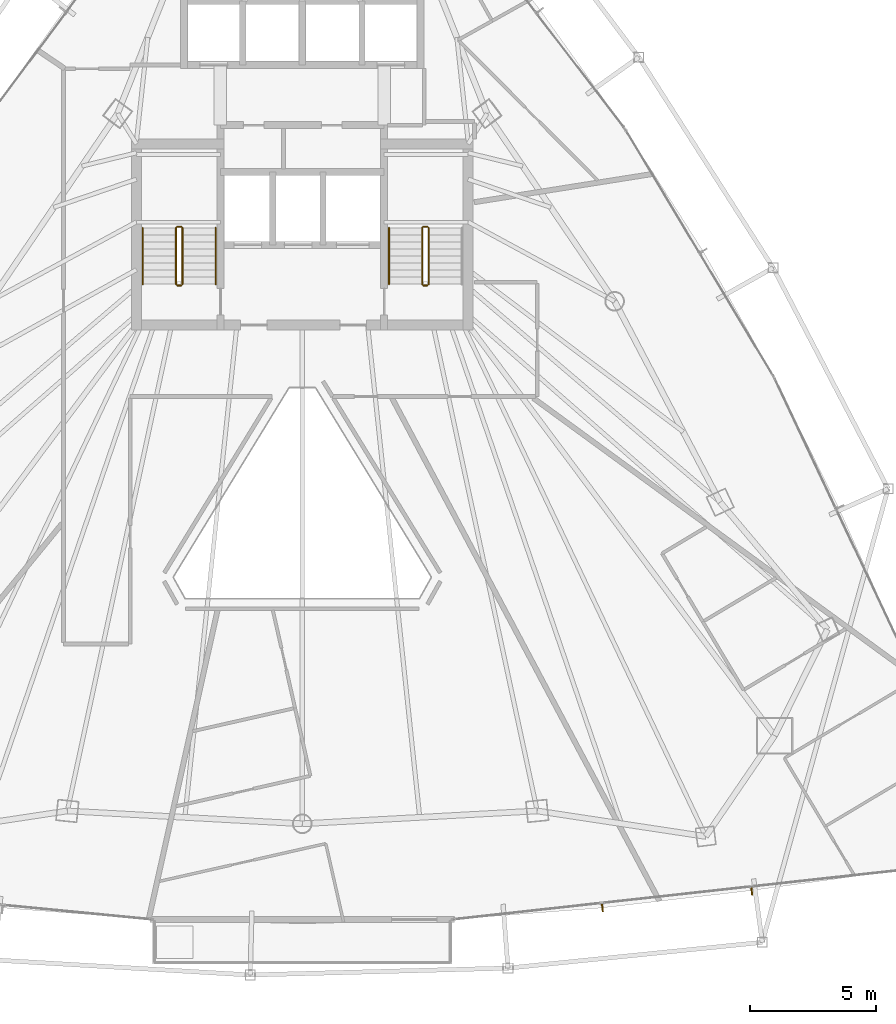
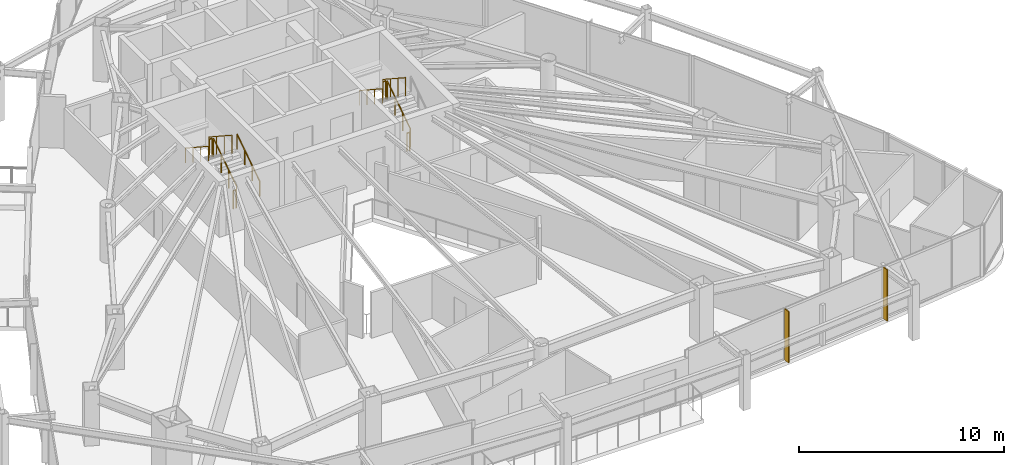
# One storey, part 32 of 33: 11 railings, 2 shading devices.
"""IFC4 building model written with IfcOpenShell, lengths in metres."""

from ifc_helpers import new_model, si_unit, direction, frame, origin, origin_2d, place, context, subcontext, project, spatial, rectangle, circle, extrude, material, layer, layer_set, type_object, element, save


model = new_model("IFC4")

# Units and contexts
model_context = context("Model", 3, precision=1e-05, world=origin(), true_north=direction((0.0, 1.0)))
body_context = subcontext(model_context, "Body", "Model", "MODEL_VIEW")
ifc_project = project(units=[si_unit("LENGTHUNIT", "METRE"), si_unit("AREAUNIT", "SQUARE_METRE"), si_unit("VOLUMEUNIT", "CUBIC_METRE"), si_unit("PLANEANGLEUNIT", "RADIAN"), si_unit("MASSUNIT", "GRAM", prefix="KILO")], contexts=[model_context])

# Site, building, storey
site_placement = place(None, origin())
site = spatial("IfcSite", under=ifc_project, at=site_placement, CompositionType="ELEMENT")
building_placement = place(site_placement, origin())
building = spatial("IfcBuilding", under=site, at=building_placement, Name="Orvanel Arch Residences", CompositionType="ELEMENT")
storey_placement = place(building_placement, frame((0.0, 0.0, 116.60009765625)))
storey = spatial("IfcBuildingStorey", under=building, at=storey_placement, Name="L32", CompositionType="ELEMENT", Elevation=116.60009765625)

# Shading devices
ifc_material_1 = material(Name="Bronze-anodised aluminium AA6063-T6", Category="aluminium")
ifc_layer = layer(ifc_material_1, 0.054931640625)
ifc_layer_set = layer_set([ifc_layer], Name="Bronze-anodised aluminium AA6063-T6")
shading_device_type = type_object("IfcShadingDeviceType", Name="FIN-BRZ-320", PredefinedType="USERDEFINED", material=ifc_layer_set)
for number, where, z_axis, x_axis, name in (
    (1, (44.945068359375, 3.5029296875, -0.000244140625), (0.0, 0.0, 1.0), (0.109734311091, -0.993960955455, 0.0), "L32 Anodised Bronze Mullion FIN 01"),
    (2, (50.889892578125, 4.157958984375, -0.000244140625), (0.0, 0.0, 1.0), (0.109734311091, -0.993960955455, 0.0), "L32 Anodised Bronze Mullion FIN 02"),
):
    element("IfcShadingDevice", number, at=place(storey_placement, frame(where, z_axis=z_axis, x_axis=x_axis)), inside=storey, type_object=shading_device_type, Name=name, ObjectType="FIN", PredefinedType="USERDEFINED", context=body_context, shape_type="SweptSolid", body=[
        extrude(rectangle(XDim=0.320068359375, YDim=0.054931640625, at=origin_2d()), origin(), (0.0, 0.0, 1.0), 3.06005859375),
    ])

# Railings
ifc_material_2 = material(Name="Structural steel AS/NZS 1163 C350L0 (Grade 350)", Category="steel")
railing_type_1 = type_object("IfcRailingType", Name="RL-STAIR-GUARD", PredefinedType="GUARDRAIL", material=ifc_material_2)
railing_1_placement = place(storey_placement, frame((28.22998046875, 28.320068359375, 0.183349609375)))
element("IfcRailing", 3, at=railing_1_placement, inside=storey, type_object=railing_type_1, Name="L32 ST-1 stair guard 1", PredefinedType="GUARDRAIL", context=body_context, shape_type="SweptSolid", body=[
    extrude(circle(Radius=0.02392578125, at=origin_2d()), frame((0.0, 0.001220703125, 1.076904296875), z_axis=(0.0, 0.836636935527, 0.547757827979), x_axis=(-1.0, 0.0, 0.0)), (0.0, 0.0, 1.0), 2.67431640625),
    extrude(circle(Radius=0.02099609375, at=origin_2d()), origin(), (0.0, 0.0, 1.0), 1.050048828125),
    extrude(circle(Radius=0.02099609375, at=origin_2d()), frame((0.0, 0.74658203125, 0.48876953125)), (0.0, 0.0, 1.0), 1.050048828125),
    extrude(circle(Radius=0.02099609375, at=origin_2d()), frame((0.0, 1.493408203125, 0.977783203125)), (0.0, 0.0, 1.0), 1.050048828125),
    extrude(circle(Radius=0.02099609375, at=origin_2d()), frame((0.0, 2.239990234375, 1.466552734375)), (0.0, 0.0, 1.0), 1.050048828125),
])
railing_2_placement = place(storey_placement, frame((28.179931640625, 30.610107421875, 1.64990234375)))
element("IfcRailing", 4, at=railing_2_placement, inside=storey, type_object=railing_type_1, Name="L32 ST-1 stair guard 2", PredefinedType="GUARDRAIL", context=body_context, shape_type="SweptSolid", body=[
    extrude(circle(Radius=0.02392578125, at=origin_2d()), frame((-0.00146484375, 0.0, 1.076171875), z_axis=(-1.0, 0.0, 0.0), x_axis=(0.0, -1.0, 0.0)), (0.0, 0.0, 1.0), 0.156982421875),
    extrude(circle(Radius=0.02099609375, at=origin_2d()), origin(), (0.0, 0.0, 1.0), 1.050048828125),
    extrude(circle(Radius=0.02099609375, at=origin_2d()), frame((-0.159912109375, 0.0, 0.0)), (0.0, 0.0, 1.0), 1.050048828125),
])
railing_3_placement = place(storey_placement, frame((27.969970703125, 30.56005859375, 1.833251953125)))
element("IfcRailing", 5, at=railing_3_placement, inside=storey, type_object=railing_type_1, Name="L32 ST-1 stair guard 3", PredefinedType="GUARDRAIL", context=body_context, shape_type="SweptSolid", body=[
    extrude(circle(Radius=0.02392578125, at=origin_2d()), frame((0.0, -0.001220703125, 1.076904296875), z_axis=(0.0, -0.836636935527, 0.547757827979), x_axis=(1.0, 0.0, 0.0)), (0.0, 0.0, 1.0), 2.67431640625),
    extrude(circle(Radius=0.02099609375, at=origin_2d()), origin(), (0.0, 0.0, 1.0), 1.050048828125),
    extrude(circle(Radius=0.02099609375, at=origin_2d()), frame((0.0, -0.74658203125, 0.48876953125)), (0.0, 0.0, 1.0), 1.050048828125),
    extrude(circle(Radius=0.02099609375, at=origin_2d()), frame((0.0, -1.493408203125, 0.977783203125)), (0.0, 0.0, 1.0), 1.050048828125),
    extrude(circle(Radius=0.02099609375, at=origin_2d()), frame((0.0, -2.239990234375, 1.466552734375)), (0.0, 0.0, 1.0), 1.050048828125),
])
railing_4_placement = place(storey_placement, frame((28.179931640625, 28.27001953125, 0.0)))
element("IfcRailing", 6, at=railing_4_placement, inside=storey, type_object=railing_type_1, Name="L32 ST-1 stair guard 4", PredefinedType="GUARDRAIL", context=body_context, shape_type="SweptSolid", body=[
    extrude(circle(Radius=0.02392578125, at=origin_2d()), frame((-0.00146484375, 0.0, 1.076171875), z_axis=(-1.0, 0.0, 0.0), x_axis=(0.0, -1.0, 0.0)), (0.0, 0.0, 1.0), 0.156982421875),
    extrude(circle(Radius=0.02099609375, at=origin_2d()), origin(), (0.0, 0.0, 1.0), 1.050048828125),
    extrude(circle(Radius=0.02099609375, at=origin_2d()), frame((-0.159912109375, 0.0, 0.0)), (0.0, 0.0, 1.0), 1.050048828125),
])
railing_5_placement = place(storey_placement, frame((38.030029296875, 28.320068359375, 0.183349609375)))
element("IfcRailing", 7, at=railing_5_placement, inside=storey, type_object=railing_type_1, Name="L32 ST-2 stair guard 1", PredefinedType="GUARDRAIL", context=body_context, shape_type="SweptSolid", body=[
    extrude(circle(Radius=0.02392578125, at=origin_2d()), frame((0.0, 0.001220703125, 1.076904296875), z_axis=(0.0, 0.836636935527, 0.547757827979), x_axis=(-1.0, 0.0, 0.0)), (0.0, 0.0, 1.0), 2.67431640625),
    extrude(circle(Radius=0.02099609375, at=origin_2d()), origin(), (0.0, 0.0, 1.0), 1.050048828125),
    extrude(circle(Radius=0.02099609375, at=origin_2d()), frame((0.0, 0.74658203125, 0.48876953125)), (0.0, 0.0, 1.0), 1.050048828125),
    extrude(circle(Radius=0.02099609375, at=origin_2d()), frame((0.0, 1.493408203125, 0.977783203125)), (0.0, 0.0, 1.0), 1.050048828125),
    extrude(circle(Radius=0.02099609375, at=origin_2d()), frame((0.0, 2.239990234375, 1.466552734375)), (0.0, 0.0, 1.0), 1.050048828125),
])
railing_6_placement = place(storey_placement, frame((37.97998046875, 30.610107421875, 1.64990234375)))
element("IfcRailing", 8, at=railing_6_placement, inside=storey, type_object=railing_type_1, Name="L32 ST-2 stair guard 2", PredefinedType="GUARDRAIL", context=body_context, shape_type="SweptSolid", body=[
    extrude(circle(Radius=0.02392578125, at=origin_2d()), frame((-0.00146484375, 0.0, 1.076171875), z_axis=(-1.0, 0.0, 0.0), x_axis=(0.0, -1.0, 0.0)), (0.0, 0.0, 1.0), 0.156982421875),
    extrude(circle(Radius=0.02099609375, at=origin_2d()), origin(), (0.0, 0.0, 1.0), 1.050048828125),
    extrude(circle(Radius=0.02099609375, at=origin_2d()), frame((-0.159912109375, 0.0, 0.0)), (0.0, 0.0, 1.0), 1.050048828125),
])
railing_7_placement = place(storey_placement, frame((37.77001953125, 30.56005859375, 1.833251953125)))
element("IfcRailing", 9, at=railing_7_placement, inside=storey, type_object=railing_type_1, Name="L32 ST-2 stair guard 3", PredefinedType="GUARDRAIL", context=body_context, shape_type="SweptSolid", body=[
    extrude(circle(Radius=0.02392578125, at=origin_2d()), frame((0.0, -0.001220703125, 1.076904296875), z_axis=(0.0, -0.836636935527, 0.547757827979), x_axis=(1.0, 0.0, 0.0)), (0.0, 0.0, 1.0), 2.67431640625),
    extrude(circle(Radius=0.02099609375, at=origin_2d()), origin(), (0.0, 0.0, 1.0), 1.050048828125),
    extrude(circle(Radius=0.02099609375, at=origin_2d()), frame((0.0, -0.74658203125, 0.48876953125)), (0.0, 0.0, 1.0), 1.050048828125),
    extrude(circle(Radius=0.02099609375, at=origin_2d()), frame((0.0, -1.493408203125, 0.977783203125)), (0.0, 0.0, 1.0), 1.050048828125),
    extrude(circle(Radius=0.02099609375, at=origin_2d()), frame((0.0, -2.239990234375, 1.466552734375)), (0.0, 0.0, 1.0), 1.050048828125),
])
railing_8_placement = place(storey_placement, frame((37.97998046875, 28.27001953125, 0.0)))
element("IfcRailing", 10, at=railing_8_placement, inside=storey, type_object=railing_type_1, Name="L32 ST-2 stair guard 4", PredefinedType="GUARDRAIL", context=body_context, shape_type="SweptSolid", body=[
    extrude(circle(Radius=0.02392578125, at=origin_2d()), frame((-0.00146484375, 0.0, 1.076171875), z_axis=(-1.0, 0.0, 0.0), x_axis=(0.0, -1.0, 0.0)), (0.0, 0.0, 1.0), 0.156982421875),
    extrude(circle(Radius=0.02099609375, at=origin_2d()), origin(), (0.0, 0.0, 1.0), 1.050048828125),
    extrude(circle(Radius=0.02099609375, at=origin_2d()), frame((-0.159912109375, 0.0, 0.0)), (0.0, 0.0, 1.0), 1.050048828125),
])
railing_type_2 = type_object("IfcRailingType", Name="RL-STAIR-HAND", PredefinedType="HANDRAIL", material=ifc_material_2)
railing_9_placement = place(storey_placement, frame((29.550048828125, 28.320068359375, 0.183349609375)))
element("IfcRailing", 11, at=railing_9_placement, inside=storey, type_object=railing_type_2, Name="L32 ST-1 stair handrail 1", PredefinedType="HANDRAIL", context=body_context, shape_type="SweptSolid", body=[
    extrude(circle(Radius=0.02392578125, at=origin_2d()), frame((0.0, 0.001220703125, 0.876708984375), z_axis=(0.0, 0.836636935527, 0.547757827979), x_axis=(-1.0, 0.0, 0.0)), (0.0, 0.0, 1.0), 2.67431640625),
    extrude(circle(Radius=0.02099609375, at=origin_2d()), origin(), (0.0, 0.0, 1.0), 0.849853515625),
    extrude(circle(Radius=0.02099609375, at=origin_2d()), frame((0.0, 0.74658203125, 0.48876953125)), (0.0, 0.0, 1.0), 0.849853515625),
    extrude(circle(Radius=0.02099609375, at=origin_2d()), frame((0.0, 1.493408203125, 0.977783203125)), (0.0, 0.0, 1.0), 0.849853515625),
    extrude(circle(Radius=0.02099609375, at=origin_2d()), frame((0.0, 2.239990234375, 1.466552734375)), (0.0, 0.0, 1.0), 0.849853515625),
])
for number, where, name in (
    (12, (26.64990234375, 30.56005859375, 1.833251953125), "L32 ST-1 stair handrail 2"),
    (13, (36.449951171875, 30.56005859375, 1.833251953125), "L32 ST-2 stair handrail 2"),
):
    element("IfcRailing", number, at=place(storey_placement, frame(where)), inside=storey, type_object=railing_type_2, Name=name, PredefinedType="HANDRAIL", context=body_context, shape_type="SweptSolid", body=[
        extrude(circle(Radius=0.02392578125, at=origin_2d()), frame((0.0, -0.001220703125, 0.876708984375), z_axis=(0.0, -0.836636935527, 0.547757827979), x_axis=(1.0, 0.0, 0.0)), (0.0, 0.0, 1.0), 2.67431640625),
        extrude(circle(Radius=0.02099609375, at=origin_2d()), origin(), (0.0, 0.0, 1.0), 0.849853515625),
        extrude(circle(Radius=0.02099609375, at=origin_2d()), frame((0.0, -0.74658203125, 0.48876953125)), (0.0, 0.0, 1.0), 0.849853515625),
        extrude(circle(Radius=0.02099609375, at=origin_2d()), frame((0.0, -1.493408203125, 0.977783203125)), (0.0, 0.0, 1.0), 0.849853515625),
        extrude(circle(Radius=0.02099609375, at=origin_2d()), frame((0.0, -2.239990234375, 1.466552734375)), (0.0, 0.0, 1.0), 0.849853515625),
    ])

save(model, "model.ifc")
